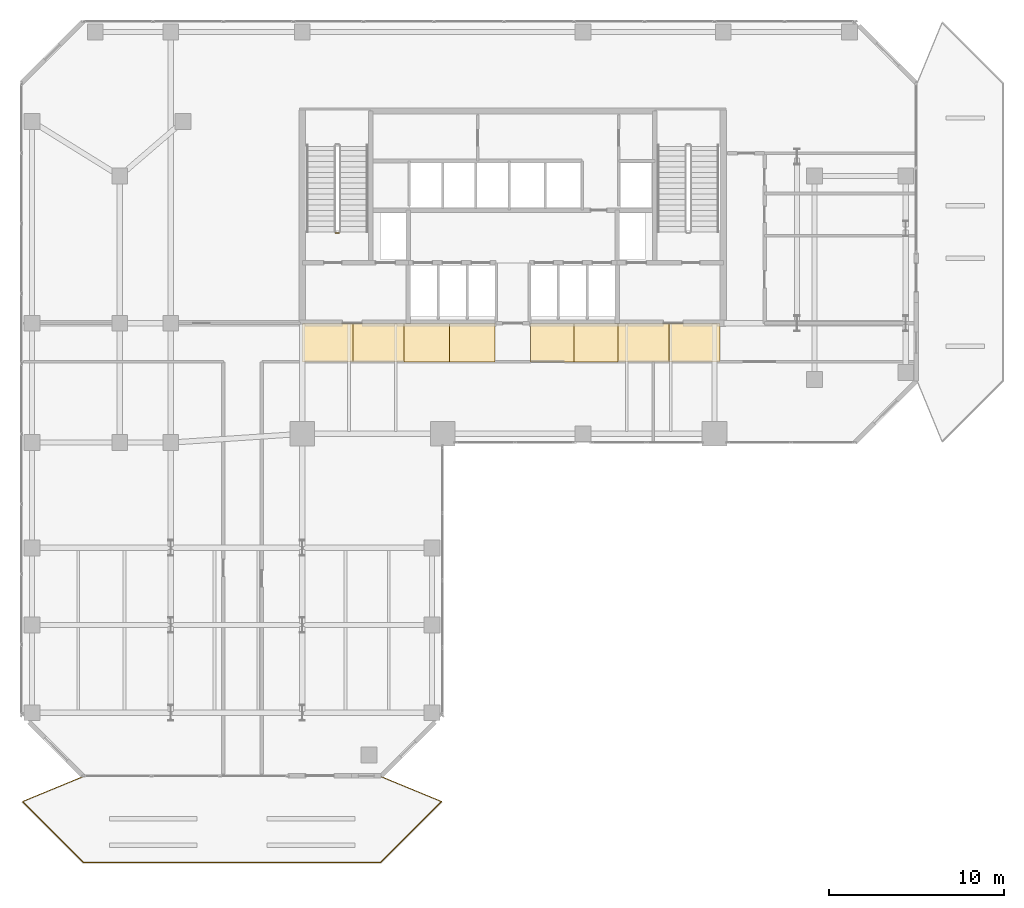
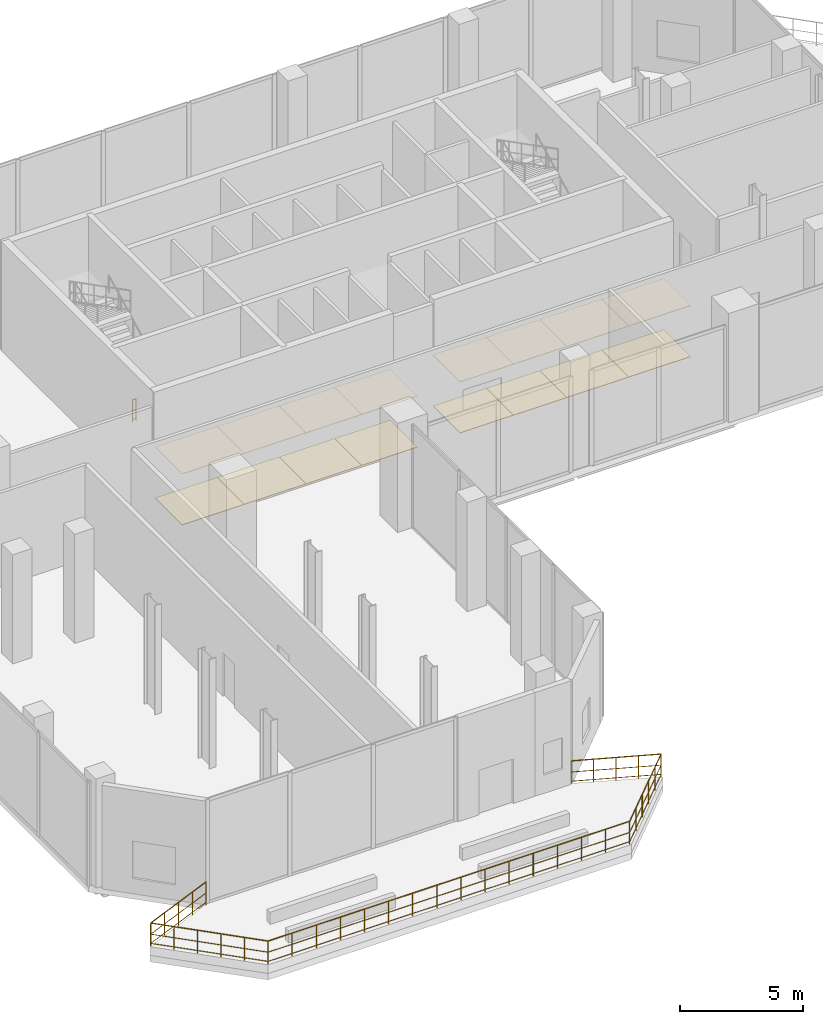
# One storey, part 23 of 24: 16 coverings, 2 railings.
"""IFC4 building model written with IfcOpenShell, lengths in metres."""

from ifc_helpers import new_model, si_unit, direction, frame, origin, origin_2d, place, context, subcontext, project, spatial, polyline, circle, outline, extrude, material, layer, layer_set, type_object, element, save


model = new_model("IFC4")

# Units and contexts
model_context = context("Model", 3, precision=1e-05, world=origin(), true_north=direction((0.0, 1.0)))
body_context = subcontext(model_context, "Body", "Model", "MODEL_VIEW")
ifc_project = project(units=[si_unit("LENGTHUNIT", "METRE"), si_unit("AREAUNIT", "SQUARE_METRE"), si_unit("VOLUMEUNIT", "CUBIC_METRE"), si_unit("PLANEANGLEUNIT", "RADIAN"), si_unit("MASSUNIT", "GRAM", prefix="KILO")], contexts=[model_context])

# Site, building, storey
site_placement = place(None, origin())
site = spatial("IfcSite", under=ifc_project, at=site_placement, CompositionType="ELEMENT")
building_placement = place(site_placement, origin())
building = spatial("IfcBuilding", under=site, at=building_placement, Name="Catumbela Crestline Tower", CompositionType="ELEMENT")
storey_placement = place(building_placement, frame((0.0, 0.0, 84.6)))
storey = spatial("IfcBuildingStorey", under=building, at=storey_placement, Name="L21", CompositionType="ELEMENT", Elevation=84.6)

# Coverings
ifc_material_1 = material(Name="Mineral-fibre acoustic ceiling")
ifc_layer_1 = layer(ifc_material_1, 0.03, Name="Mineral-fibre acoustic ceiling")
ifc_layer_set_1 = layer_set([ifc_layer_1], Name="Mineral-fibre acoustic ceiling")
covering_type_1 = type_object("IfcCoveringType", Name="CC-AC", PredefinedType="CEILING", material=ifc_layer_set_1)
covering_1_placement = place(storey_placement, frame((0.0, 0.0, 2.52)))
element("IfcCovering", 1, at=covering_1_placement, inside=storey, type_object=covering_type_1, Name="L21 Corridor Acoustic Ceiling Bay 1", PredefinedType="CEILING", context=body_context, shape_type="SweptSolid", body=[
    extrude(outline(polyline([(16.0, 28.6), (18.9, 28.6), (18.9, 30.8), (16.0, 30.8), (16.0, 28.6)])), origin(), (0.0, 0.0, 1.0), 0.03),
])
covering_2_placement = place(storey_placement, frame((0.0, 0.0, 2.52)))
element("IfcCovering", 2, at=covering_2_placement, inside=storey, type_object=covering_type_1, Name="L21 Corridor Acoustic Ceiling Bay 2", PredefinedType="CEILING", context=body_context, shape_type="SweptSolid", body=[
    extrude(outline(polyline([(18.9, 28.6), (21.8, 28.6), (21.8, 30.8), (18.9, 30.8), (18.9, 28.6)])), origin(), (0.0, 0.0, 1.0), 0.03),
])
covering_3_placement = place(storey_placement, frame((0.0, 0.0, 2.52)))
element("IfcCovering", 3, at=covering_3_placement, inside=storey, type_object=covering_type_1, Name="L21 Corridor Acoustic Ceiling Bay 3", PredefinedType="CEILING", context=body_context, shape_type="SweptSolid", body=[
    extrude(outline(polyline([(21.8, 28.6), (24.4, 28.6), (24.4, 30.8), (21.8, 30.8), (21.8, 28.6)])), origin(), (0.0, 0.0, 1.0), 0.03),
])
covering_4_placement = place(storey_placement, frame((0.0, 0.0, 2.52)))
element("IfcCovering", 4, at=covering_4_placement, inside=storey, type_object=covering_type_1, Name="L21 Corridor Acoustic Ceiling Bay 4", PredefinedType="CEILING", context=body_context, shape_type="SweptSolid", body=[
    extrude(outline(polyline([(24.4, 28.6), (27.0, 28.6), (27.0, 30.8), (24.4, 30.8), (24.4, 28.6)])), origin(), (0.0, 0.0, 1.0), 0.03),
])
covering_5_placement = place(storey_placement, frame((0.0, 0.0, 2.52)))
element("IfcCovering", 5, at=covering_5_placement, inside=storey, type_object=covering_type_1, Name="L21 Corridor Acoustic Ceiling Bay 5", PredefinedType="CEILING", context=body_context, shape_type="SweptSolid", body=[
    extrude(outline(polyline([(29.0, 28.6), (31.5, 28.6), (31.5, 30.8), (29.0, 30.8), (29.0, 28.6)])), origin(), (0.0, 0.0, 1.0), 0.03),
])
covering_6_placement = place(storey_placement, frame((0.0, 0.0, 2.52)))
element("IfcCovering", 6, at=covering_6_placement, inside=storey, type_object=covering_type_1, Name="L21 Corridor Acoustic Ceiling Bay 6", PredefinedType="CEILING", context=body_context, shape_type="SweptSolid", body=[
    extrude(outline(polyline([(31.5, 28.6), (34.0, 28.6), (34.0, 30.8), (31.5, 30.8), (31.5, 28.6)])), origin(), (0.0, 0.0, 1.0), 0.03),
])
covering_7_placement = place(storey_placement, frame((0.0, 0.0, 2.52)))
element("IfcCovering", 7, at=covering_7_placement, inside=storey, type_object=covering_type_1, Name="L21 Corridor Acoustic Ceiling Bay 7", PredefinedType="CEILING", context=body_context, shape_type="SweptSolid", body=[
    extrude(outline(polyline([(34.0, 28.6), (36.9, 28.6), (36.9, 30.8), (34.0, 30.8), (34.0, 28.6)])), origin(), (0.0, 0.0, 1.0), 0.03),
])
covering_8_placement = place(storey_placement, frame((0.0, 0.0, 2.52)))
element("IfcCovering", 8, at=covering_8_placement, inside=storey, type_object=covering_type_1, Name="L21 Corridor Acoustic Ceiling Bay 8", PredefinedType="CEILING", context=body_context, shape_type="SweptSolid", body=[
    extrude(outline(polyline([(36.9, 28.6), (39.8, 28.6), (39.8, 30.8), (36.9, 30.8), (36.9, 28.6)])), origin(), (0.0, 0.0, 1.0), 0.03),
])
ifc_material_2 = material(Name="Angolan grey-ochre granite", Category="masonry")
ifc_layer_2 = layer(ifc_material_2, 0.025, Name="Angolan grey-ochre granite")
ifc_layer_set_2 = layer_set([ifc_layer_2], Name="Angolan grey-ochre granite")
covering_type_2 = type_object("IfcCoveringType", Name="CF-GR", PredefinedType="FLOORING", material=ifc_layer_set_2)
covering_9_placement = place(storey_placement, origin())
element("IfcCovering", 9, at=covering_9_placement, inside=storey, type_object=covering_type_2, Name="L21 Corridor Granite Flooring Bay 1", PredefinedType="FLOORING", context=body_context, shape_type="SweptSolid", body=[
    extrude(outline(polyline([(16.0, 28.6), (18.9, 28.6), (18.9, 30.8), (16.0, 30.8), (16.0, 28.6)])), origin(), (0.0, 0.0, 1.0), 0.025),
])
covering_10_placement = place(storey_placement, origin())
element("IfcCovering", 10, at=covering_10_placement, inside=storey, type_object=covering_type_2, Name="L21 Corridor Granite Flooring Bay 2", PredefinedType="FLOORING", context=body_context, shape_type="SweptSolid", body=[
    extrude(outline(polyline([(18.9, 28.6), (21.8, 28.6), (21.8, 30.8), (18.9, 30.8), (18.9, 28.6)])), origin(), (0.0, 0.0, 1.0), 0.025),
])
covering_11_placement = place(storey_placement, origin())
element("IfcCovering", 11, at=covering_11_placement, inside=storey, type_object=covering_type_2, Name="L21 Corridor Granite Flooring Bay 3", PredefinedType="FLOORING", context=body_context, shape_type="SweptSolid", body=[
    extrude(outline(polyline([(21.8, 28.6), (24.4, 28.6), (24.4, 30.8), (21.8, 30.8), (21.8, 28.6)])), origin(), (0.0, 0.0, 1.0), 0.025),
])
covering_12_placement = place(storey_placement, origin())
element("IfcCovering", 12, at=covering_12_placement, inside=storey, type_object=covering_type_2, Name="L21 Corridor Granite Flooring Bay 4", PredefinedType="FLOORING", context=body_context, shape_type="SweptSolid", body=[
    extrude(outline(polyline([(24.4, 28.6), (27.0, 28.6), (27.0, 30.8), (24.4, 30.8), (24.4, 28.6)])), origin(), (0.0, 0.0, 1.0), 0.025),
])
covering_13_placement = place(storey_placement, origin())
element("IfcCovering", 13, at=covering_13_placement, inside=storey, type_object=covering_type_2, Name="L21 Corridor Granite Flooring Bay 5", PredefinedType="FLOORING", context=body_context, shape_type="SweptSolid", body=[
    extrude(outline(polyline([(29.0, 28.6), (31.5, 28.6), (31.5, 30.8), (29.0, 30.8), (29.0, 28.6)])), origin(), (0.0, 0.0, 1.0), 0.025),
])
covering_14_placement = place(storey_placement, origin())
element("IfcCovering", 14, at=covering_14_placement, inside=storey, type_object=covering_type_2, Name="L21 Corridor Granite Flooring Bay 6", PredefinedType="FLOORING", context=body_context, shape_type="SweptSolid", body=[
    extrude(outline(polyline([(31.5, 28.6), (34.0, 28.6), (34.0, 30.8), (31.5, 30.8), (31.5, 28.6)])), origin(), (0.0, 0.0, 1.0), 0.025),
])
covering_15_placement = place(storey_placement, origin())
element("IfcCovering", 15, at=covering_15_placement, inside=storey, type_object=covering_type_2, Name="L21 Corridor Granite Flooring Bay 7", PredefinedType="FLOORING", context=body_context, shape_type="SweptSolid", body=[
    extrude(outline(polyline([(34.0, 28.6), (36.9, 28.6), (36.9, 30.8), (34.0, 30.8), (34.0, 28.6)])), origin(), (0.0, 0.0, 1.0), 0.025),
])
covering_16_placement = place(storey_placement, origin())
element("IfcCovering", 16, at=covering_16_placement, inside=storey, type_object=covering_type_2, Name="L21 Corridor Granite Flooring Bay 8", PredefinedType="FLOORING", context=body_context, shape_type="SweptSolid", body=[
    extrude(outline(polyline([(36.9, 28.6), (39.8, 28.6), (39.8, 30.8), (36.9, 30.8), (36.9, 28.6)])), origin(), (0.0, 0.0, 1.0), 0.025),
])

# Railings
ifc_material_3 = material(Name="Stainless steel EN 1.4401", Category="steel")
railing_type_1 = type_object("IfcRailingType", Name="RG-1100", PredefinedType="GUARDRAIL", material=ifc_material_3)
railing_1_placement = place(storey_placement, frame((18.09, 35.95, 0.0)))
element("IfcRailing", 17, at=railing_1_placement, inside=storey, type_object=railing_type_1, Name="L21 ST-01 stair guard 4", PredefinedType="GUARDRAIL", context=body_context, shape_type="SweptSolid", body=[
    extrude(circle(Radius=0.024, at=origin_2d()), frame((0.0, 0.0, 1.076), z_axis=(-1.0, 0.0, 0.0), x_axis=(0.0, -1.0, 0.0)), (0.0, 0.0, 1.0), 0.18),
    extrude(circle(Radius=0.0156, at=origin_2d()), frame((0.0, 0.0, 0.55), z_axis=(-1.0, 0.0, 0.0), x_axis=(0.0, -1.0, 0.0)), (0.0, 0.0, 1.0), 0.18),
    extrude(circle(Radius=0.0156, at=origin_2d()), frame((0.0, 0.0, 0.12), z_axis=(-1.0, 0.0, 0.0), x_axis=(0.0, -1.0, 0.0)), (0.0, 0.0, 1.0), 0.18),
    extrude(circle(Radius=0.021, at=origin_2d()), origin(), (0.0, 0.0, 1.0), 1.052),
    extrude(circle(Radius=0.021, at=origin_2d()), frame((-0.18, 0.0, 0.0)), (0.0, 0.0, 1.0), 1.052),
])
railing_type_2 = type_object("IfcRailingType", Name="RT-1150", PredefinedType="BALUSTRADE", material=ifc_material_3)
railing_2_placement = place(storey_placement, frame((3.46, 4.94, -0.02)))
element("IfcRailing", 18, at=railing_2_placement, inside=storey, type_object=railing_type_2, Name="L21 Sky-Garden Terrace Balustrade TER-L21-S", PredefinedType="BALUSTRADE", context=body_context, shape_type="SweptSolid", body=[
    extrude(circle(Radius=0.024, at=origin_2d()), frame((0.0, 0.0, 1.126), z_axis=(-0.924678098475, -0.380749805254, 0.0), x_axis=(0.380749805254, -0.924678098475, 0.0)), (0.0, 0.0, 1.0), 3.677),
    extrude(circle(Radius=0.0156, at=origin_2d()), frame((0.0, 0.0, 0.575), z_axis=(-0.924678098475, -0.380749805254, 0.0), x_axis=(0.380749805254, -0.924678098475, 0.0)), (0.0, 0.0, 1.0), 3.677),
    extrude(circle(Radius=0.0156, at=origin_2d()), frame((0.0, 0.0, 0.12), z_axis=(-0.924678098475, -0.380749805254, 0.0), x_axis=(0.380749805254, -0.924678098475, 0.0)), (0.0, 0.0, 1.0), 3.677),
    extrude(circle(Radius=0.024, at=origin_2d()), frame((-3.4, -1.4, 1.126), z_axis=(0.707106781187, -0.707106781187, 0.0), x_axis=(0.707106781187, 0.707106781187, 0.0)), (0.0, 0.0, 1.0), 4.9215),
    extrude(circle(Radius=0.0156, at=origin_2d()), frame((-3.4, -1.4, 0.575), z_axis=(0.707106781187, -0.707106781187, 0.0), x_axis=(0.707106781187, 0.707106781187, 0.0)), (0.0, 0.0, 1.0), 4.9215),
    extrude(circle(Radius=0.0156, at=origin_2d()), frame((-3.4, -1.4, 0.12), z_axis=(0.707106781187, -0.707106781187, 0.0), x_axis=(0.707106781187, 0.707106781187, 0.0)), (0.0, 0.0, 1.0), 4.9215),
    extrude(circle(Radius=0.024, at=origin_2d()), frame((0.08, -4.88, 1.126), z_axis=(1.0, 0.0, 0.0), x_axis=(0.0, 1.0, 0.0)), (0.0, 0.0, 1.0), 16.92),
    extrude(circle(Radius=0.0156, at=origin_2d()), frame((0.08, -4.88, 0.575), z_axis=(1.0, 0.0, 0.0), x_axis=(0.0, 1.0, 0.0)), (0.0, 0.0, 1.0), 16.92),
    extrude(circle(Radius=0.0156, at=origin_2d()), frame((0.08, -4.88, 0.12), z_axis=(1.0, 0.0, 0.0), x_axis=(0.0, 1.0, 0.0)), (0.0, 0.0, 1.0), 16.92),
    extrude(circle(Radius=0.024, at=origin_2d()), frame((17.0, -4.88, 1.126), z_axis=(0.707106781187, 0.707106781187, 0.0), x_axis=(-0.707106781187, 0.707106781187, 0.0)), (0.0, 0.0, 1.0), 4.9215),
    extrude(circle(Radius=0.0156, at=origin_2d()), frame((17.0, -4.88, 0.575), z_axis=(0.707106781187, 0.707106781187, 0.0), x_axis=(-0.707106781187, 0.707106781187, 0.0)), (0.0, 0.0, 1.0), 4.9215),
    extrude(circle(Radius=0.0156, at=origin_2d()), frame((17.0, -4.88, 0.12), z_axis=(0.707106781187, 0.707106781187, 0.0), x_axis=(-0.707106781187, 0.707106781187, 0.0)), (0.0, 0.0, 1.0), 4.9215),
    extrude(circle(Radius=0.024, at=origin_2d()), frame((20.48, -1.4, 1.126), z_axis=(-0.924678098475, 0.380749805254, 0.0), x_axis=(-0.380749805254, -0.924678098475, 0.0)), (0.0, 0.0, 1.0), 3.677),
    extrude(circle(Radius=0.0156, at=origin_2d()), frame((20.48, -1.4, 0.575), z_axis=(-0.924678098475, 0.380749805254, 0.0), x_axis=(-0.380749805254, -0.924678098475, 0.0)), (0.0, 0.0, 1.0), 3.677),
    extrude(circle(Radius=0.0156, at=origin_2d()), frame((20.48, -1.4, 0.12), z_axis=(-0.924678098475, 0.380749805254, 0.0), x_axis=(-0.380749805254, -0.924678098475, 0.0)), (0.0, 0.0, 1.0), 3.677),
    extrude(circle(Radius=0.021, at=origin_2d()), origin(), (0.0, 0.0, 1.0), 1.102),
    extrude(circle(Radius=0.021, at=origin_2d()), frame((-0.85, -0.35, 0.0)), (0.0, 0.0, 1.0), 1.102),
    extrude(circle(Radius=0.021, at=origin_2d()), frame((-1.7, -0.7, 0.0)), (0.0, 0.0, 1.0), 1.102),
    extrude(circle(Radius=0.021, at=origin_2d()), frame((-2.55, -1.05, 0.0)), (0.0, 0.0, 1.0), 1.102),
    extrude(circle(Radius=0.021, at=origin_2d()), frame((-3.4, -1.4, 0.0)), (0.0, 0.0, 1.0), 1.102),
    extrude(circle(Radius=0.021, at=origin_2d()), frame((-2.704, -2.096, 0.0)), (0.0, 0.0, 1.0), 1.102),
    extrude(circle(Radius=0.021, at=origin_2d()), frame((-2.008, -2.792, 0.0)), (0.0, 0.0, 1.0), 1.102),
    extrude(circle(Radius=0.021, at=origin_2d()), frame((-1.312, -3.488, 0.0)), (0.0, 0.0, 1.0), 1.102),
    extrude(circle(Radius=0.021, at=origin_2d()), frame((-0.616, -4.184, 0.0)), (0.0, 0.0, 1.0), 1.102),
    extrude(circle(Radius=0.021, at=origin_2d()), frame((0.08, -4.88, 0.0)), (0.0, 0.0, 1.0), 1.102),
    extrude(circle(Radius=0.021, at=origin_2d()), frame((1.208, -4.88, 0.0)), (0.0, 0.0, 1.0), 1.102),
    extrude(circle(Radius=0.021, at=origin_2d()), frame((2.336, -4.88, 0.0)), (0.0, 0.0, 1.0), 1.102),
    extrude(circle(Radius=0.021, at=origin_2d()), frame((3.464, -4.88, 0.0)), (0.0, 0.0, 1.0), 1.102),
    extrude(circle(Radius=0.021, at=origin_2d()), frame((4.592, -4.88, 0.0)), (0.0, 0.0, 1.0), 1.102),
    extrude(circle(Radius=0.021, at=origin_2d()), frame((5.72, -4.88, 0.0)), (0.0, 0.0, 1.0), 1.102),
    extrude(circle(Radius=0.021, at=origin_2d()), frame((6.848, -4.88, 0.0)), (0.0, 0.0, 1.0), 1.102),
    extrude(circle(Radius=0.021, at=origin_2d()), frame((7.976, -4.88, 0.0)), (0.0, 0.0, 1.0), 1.102),
    extrude(circle(Radius=0.021, at=origin_2d()), frame((9.104, -4.88, 0.0)), (0.0, 0.0, 1.0), 1.102),
    extrude(circle(Radius=0.021, at=origin_2d()), frame((10.232, -4.88, 0.0)), (0.0, 0.0, 1.0), 1.102),
    extrude(circle(Radius=0.021, at=origin_2d()), frame((11.36, -4.88, 0.0)), (0.0, 0.0, 1.0), 1.102),
    extrude(circle(Radius=0.021, at=origin_2d()), frame((12.488, -4.88, 0.0)), (0.0, 0.0, 1.0), 1.102),
    extrude(circle(Radius=0.021, at=origin_2d()), frame((13.616, -4.88, 0.0)), (0.0, 0.0, 1.0), 1.102),
    extrude(circle(Radius=0.021, at=origin_2d()), frame((14.744, -4.88, 0.0)), (0.0, 0.0, 1.0), 1.102),
    extrude(circle(Radius=0.021, at=origin_2d()), frame((15.872, -4.88, 0.0)), (0.0, 0.0, 1.0), 1.102),
    extrude(circle(Radius=0.021, at=origin_2d()), frame((17.0, -4.88, 0.0)), (0.0, 0.0, 1.0), 1.102),
    extrude(circle(Radius=0.021, at=origin_2d()), frame((17.696, -4.184, 0.0)), (0.0, 0.0, 1.0), 1.102),
    extrude(circle(Radius=0.021, at=origin_2d()), frame((18.392, -3.488, 0.0)), (0.0, 0.0, 1.0), 1.102),
    extrude(circle(Radius=0.021, at=origin_2d()), frame((19.088, -2.792, 0.0)), (0.0, 0.0, 1.0), 1.102),
    extrude(circle(Radius=0.021, at=origin_2d()), frame((19.784, -2.096, 0.0)), (0.0, 0.0, 1.0), 1.102),
    extrude(circle(Radius=0.021, at=origin_2d()), frame((20.48, -1.4, 0.0)), (0.0, 0.0, 1.0), 1.102),
    extrude(circle(Radius=0.021, at=origin_2d()), frame((19.63, -1.05, 0.0)), (0.0, 0.0, 1.0), 1.102),
    extrude(circle(Radius=0.021, at=origin_2d()), frame((18.78, -0.7, 0.0)), (0.0, 0.0, 1.0), 1.102),
    extrude(circle(Radius=0.021, at=origin_2d()), frame((17.93, -0.35, 0.0)), (0.0, 0.0, 1.0), 1.102),
    extrude(circle(Radius=0.021, at=origin_2d()), frame((17.08, 0.0, 0.0)), (0.0, 0.0, 1.0), 1.102),
])

save(model, "model.ifc")
